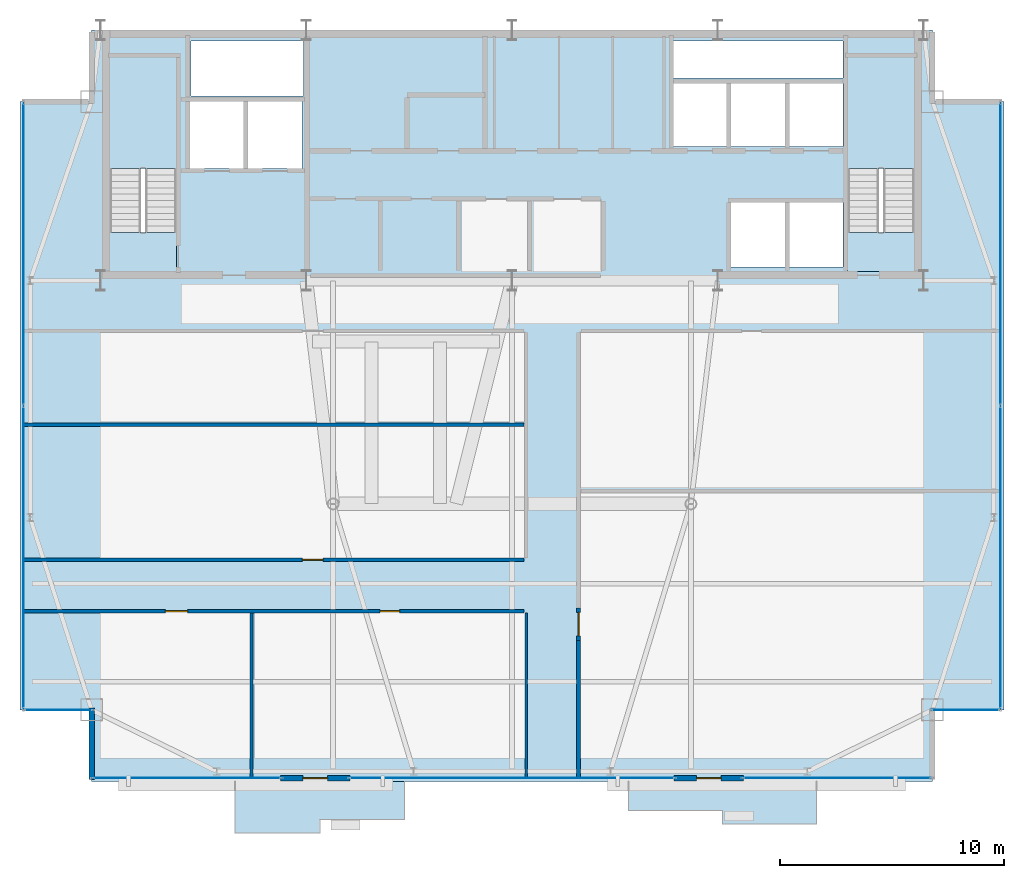
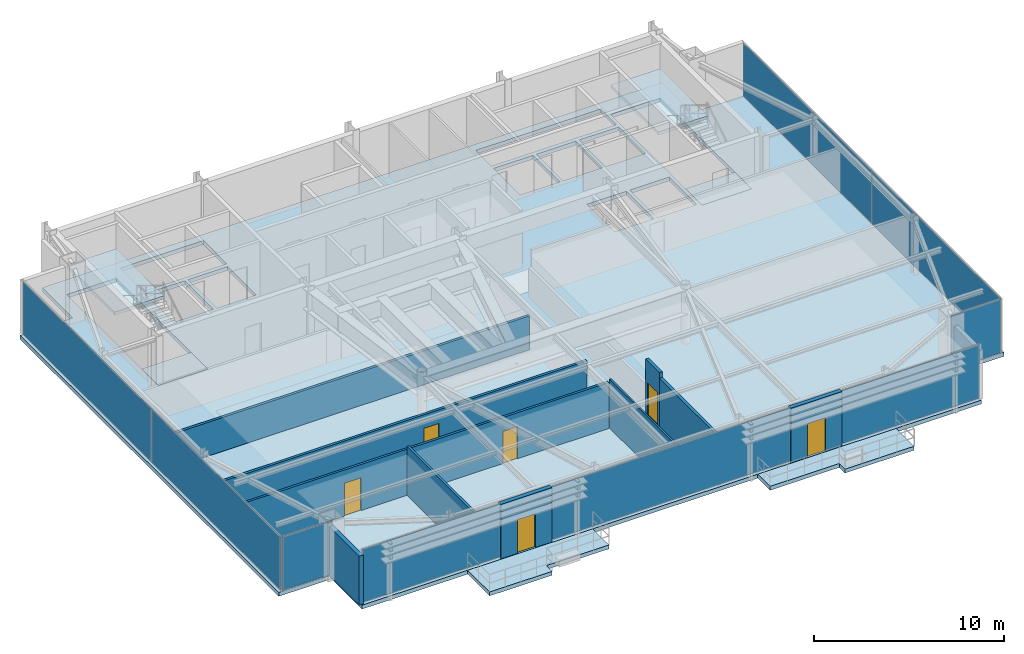
# One storey, part 17 of 21: 10 walls, 9 plates, 7 slabs, 6 doors, 6 openings, 9 elements without a shape of their own.
"""IFC4 building model written with IfcOpenShell, lengths in metres."""

from ifc_helpers import new_model, si_unit, direction, frame, frame_2d, origin, origin_2d, place, context, subcontext, project, spatial, polyline, rectangle, outline, extrude, source, transform, mapped, material, layer, layer_set, type_object, type_shapes, element, fill, aggregate, save


model = new_model("IFC4")

# Units and contexts
model_context = context("Model", 3, precision=1e-05, world=origin(), true_north=direction((0.0, 1.0)))
body_context = subcontext(model_context, "Body", "Model", "MODEL_VIEW")
ifc_project = project(units=[si_unit("LENGTHUNIT", "METRE"), si_unit("AREAUNIT", "SQUARE_METRE"), si_unit("VOLUMEUNIT", "CUBIC_METRE"), si_unit("PLANEANGLEUNIT", "RADIAN"), si_unit("MASSUNIT", "GRAM", prefix="KILO")], contexts=[model_context])

# Site, building, storey
site_placement = place(None, origin())
site = spatial("IfcSite", under=ifc_project, at=site_placement, CompositionType="ELEMENT")
building_placement = place(site_placement, origin())
building = spatial("IfcBuilding", under=site, at=building_placement, Name="Varnel Quay Broadcast Tower", CompositionType="ELEMENT")
storey_placement = place(building_placement, frame((0.0, 0.0, 296.39990234375)))
storey = spatial("IfcBuildingStorey", under=building, at=storey_placement, Name="L74", CompositionType="ELEMENT", Elevation=296.39990234375)

# Slabs
ifc_material_1 = material(Name="Concrete CSA A23.3 C40/50", Category="concrete")
ifc_layer_1 = layer(ifc_material_1, 0.25, Name="Concrete CSA A23.3 C40/50")
ifc_layer_set_1 = layer_set([ifc_layer_1], Name="Concrete CSA A23.3 C40/50")
slab_type_1 = type_object("IfcSlabType", Name="Slab_ExtTerrace250", PredefinedType="FLOOR", material=ifc_layer_set_1)
slab_1_placement = place(storey_placement, frame((0.0, 0.0, -0.25)))
element("IfcSlab", 1, at=slab_1_placement, inside=storey, type_object=slab_type_1, Name="L74 Planted Lobe Terrace Slab 1", PredefinedType="FLOOR", context=body_context, shape_type="SweptSolid", body=[
    extrude(outline(polyline([(21.610107421875, 10.89501953125), (25.405029296875, 10.89501953125), (25.405029296875, 11.4951171875), (29.199951171875, 11.4951171875), (29.199951171875, 13.199951171875), (21.610107421875, 13.199951171875), (21.610107421875, 10.89501953125)])), origin(), (0.0, 0.0, 1.0), 0.25),
])
slab_2_placement = place(storey_placement, frame((0.0, 0.0, -0.25)))
element("IfcSlab", 2, at=slab_2_placement, inside=storey, type_object=slab_type_1, Name="L74 Planted Lobe Terrace Slab 2", PredefinedType="FLOOR", context=body_context, shape_type="SweptSolid", body=[
    extrude(outline(polyline([(39.2099609375, 11.905029296875), (43.409912109375, 11.905029296875), (43.409912109375, 11.304931640625), (47.610107421875, 11.304931640625), (47.610107421875, 13.199951171875), (39.2099609375, 13.199951171875), (39.2099609375, 11.905029296875)])), origin(), (0.0, 0.0, 1.0), 0.25),
])
ifc_material_2 = material(Name="Concrete CSA A23.3 C50/60", Category="concrete")
ifc_layer_2 = layer(ifc_material_2, 0.25, Name="Concrete CSA A23.3 C50/60")
ifc_layer_set_2 = layer_set([ifc_layer_2], Name="Concrete CSA A23.3 C50/60")
slab_type_2 = type_object("IfcSlabType", Name="Slab_Floor250", PredefinedType="FLOOR", material=ifc_layer_set_2)
slab_3_placement = place(storey_placement, frame((0.0, 0.0, -0.25)))
element("IfcSlab", 3, at=slab_3_placement, inside=storey, type_object=slab_type_2, Name="L74 Structural Slab", PredefinedType="FLOOR", context=body_context, shape_type="SweptSolid", body=[
    extrude(outline(polyline([(15.199951171875, 13.199951171875), (52.800048828125, 13.199951171875), (52.800048828125, 16.39990234375), (56.0, 16.39990234375), (56.0, 43.60009765625), (52.800048828125, 43.60009765625), (52.800048828125, 46.800048828125), (15.199951171875, 46.800048828125), (15.199951171875, 43.60009765625), (12.0, 43.60009765625), (12.0, 16.39990234375), (15.199951171875, 16.39990234375), (15.199951171875, 13.199951171875)]), holes=[polyline([(19.0, 36.0), (16.0, 36.0), (16.0, 45.60009765625), (19.0, 45.60009765625), (19.0, 36.0)]), polyline([(19.60009765625, 40.60009765625), (19.60009765625, 43.60009765625), (22.0, 43.60009765625), (22.0, 40.60009765625), (19.60009765625, 40.60009765625)]), polyline([(22.199951171875, 40.60009765625), (22.199951171875, 43.60009765625), (24.60009765625, 43.60009765625), (24.60009765625, 40.60009765625), (22.199951171875, 40.60009765625)]), polyline([(41.199951171875, 44.39990234375), (43.60009765625, 44.39990234375), (43.60009765625, 41.60009765625), (41.199951171875, 41.60009765625), (41.199951171875, 44.39990234375)]), polyline([(43.800048828125, 44.39990234375), (46.199951171875, 44.39990234375), (46.199951171875, 41.60009765625), (43.800048828125, 41.60009765625), (43.800048828125, 44.39990234375)]), polyline([(19.64990234375, 43.85009765625), (19.64990234375, 46.300048828125), (24.679931640625, 46.300048828125), (24.679931640625, 43.85009765625), (19.64990234375, 43.85009765625)]), polyline([(43.800048828125, 39.10009765625), (46.199951171875, 39.10009765625), (46.199951171875, 36.199951171875), (43.800048828125, 36.199951171875), (43.800048828125, 39.10009765625)]), polyline([(46.39990234375, 39.10009765625), (48.800048828125, 39.10009765625), (48.800048828125, 36.199951171875), (46.39990234375, 36.199951171875), (46.39990234375, 39.10009765625)]), polyline([(52.0, 36.0), (49.0, 36.0), (49.0, 45.60009765625), (52.0, 45.60009765625), (52.0, 36.0)]), polyline([(46.39990234375, 44.39990234375), (48.800048828125, 44.39990234375), (48.800048828125, 41.60009765625), (46.39990234375, 41.60009765625), (46.39990234375, 44.39990234375)]), polyline([(41.199951171875, 46.300048828125), (48.800048828125, 46.300048828125), (48.800048828125, 44.64990234375), (41.199951171875, 44.64990234375), (41.199951171875, 46.300048828125)])]), origin(), (0.0, 0.0, 1.0), 0.25),
])
ifc_layer_3 = layer(ifc_material_2, 0.25, Name="Concrete CSA A23.3 C50/60")
ifc_layer_set_3 = layer_set([ifc_layer_3], Name="Concrete CSA A23.3 C50/60")
slab_type_3 = type_object("IfcSlabType", Name="Slab_StairFloorLanding250", PredefinedType="FLOOR", material=ifc_layer_set_3)
slab_4_placement = place(storey_placement, frame((0.0, 0.0, -0.25)))
element("IfcSlab", 4, at=slab_4_placement, inside=storey, type_object=slab_type_3, Name="L74 ST-01 Structural Floor Landing Slab", PredefinedType="FLOOR", context=body_context, shape_type="SweptSolid", body=[
    extrude(outline(polyline([(19.0, 36.0), (19.0, 37.75), (16.0, 37.75), (16.0, 36.0), (19.0, 36.0)])), origin(), (0.0, 0.0, 1.0), 0.25),
])
slab_5_placement = place(storey_placement, frame((0.0, 0.0, -0.25)))
element("IfcSlab", 5, at=slab_5_placement, inside=storey, type_object=slab_type_3, Name="L74 ST-02 Structural Floor Landing Slab", PredefinedType="FLOOR", context=body_context, shape_type="SweptSolid", body=[
    extrude(outline(polyline([(52.0, 36.0), (52.0, 37.75), (49.0, 37.75), (49.0, 36.0), (52.0, 36.0)])), origin(), (0.0, 0.0, 1.0), 0.25),
])

# Stair, slab
ifc_material_3 = material(Name="Precast Structural Concrete C40/50", Category="concrete")
stair_type_1 = type_object("IfcStairType", Name="Stair_ST-01", PredefinedType="HALF_TURN_STAIR", material=ifc_material_3)
stair_1_placement = place(storey_placement, origin())
stair_1 = element("IfcStair", 6, at=stair_1_placement, inside=storey, type_object=stair_type_1, Name="L74 West Core Exit Stair 1", PredefinedType="HALF_TURN_STAIR")
ifc_layer_4 = layer(ifc_material_3, 0.199951171875, Name="Precast Structural Concrete C40/50")
ifc_layer_set_4 = layer_set([ifc_layer_4], Name="Precast Structural Concrete C40/50")
slab_type_4 = type_object("IfcSlabType", Name="Slab_StairLanding200", PredefinedType="LANDING", material=ifc_layer_set_4)
slab_6_placement = place(storey_placement, frame((0.0, 0.0, 1.7001953125)))
slab_6 = element("IfcSlab", 7, at=slab_6_placement, type_object=slab_type_4, Name="ST-01 landing 1", PredefinedType="LANDING", context=body_context, shape_type="SweptSolid", body=[
    extrude(outline(polyline([(19.0, 40.60009765625), (19.0, 45.60009765625), (16.0, 45.60009765625), (16.0, 40.60009765625), (19.0, 40.60009765625)])), origin(), (0.0, 0.0, 1.0), 0.199951171875),
])
aggregate(stair_1, [slab_6])

stair_type_2 = type_object("IfcStairType", Name="Stair_ST-02", PredefinedType="HALF_TURN_STAIR", material=ifc_material_3)
stair_2_placement = place(storey_placement, origin())
stair_2 = element("IfcStair", 8, at=stair_2_placement, inside=storey, type_object=stair_type_2, Name="L74 East Core Exit Stair 2", PredefinedType="HALF_TURN_STAIR")
slab_7_placement = place(storey_placement, frame((0.0, 0.0, 1.7001953125)))
slab_7 = element("IfcSlab", 9, at=slab_7_placement, type_object=slab_type_4, Name="ST-02 landing 1", PredefinedType="LANDING", context=body_context, shape_type="SweptSolid", body=[
    extrude(outline(polyline([(52.0, 40.60009765625), (52.0, 45.60009765625), (49.0, 45.60009765625), (49.0, 40.60009765625), (52.0, 40.60009765625)])), origin(), (0.0, 0.0, 1.0), 0.199951171875),
])
aggregate(stair_2, [slab_7])

# Curtain wall, plate
ifc_material_4 = material(Name="Anodised Bronze Aluminium 6063-T6", Category="aluminium")
ifc_layer_5 = layer(ifc_material_4, 0.18994140625, Name="Anodised Bronze Aluminium 6063-T6")
ifc_layer_set_5 = layer_set([ifc_layer_5], Name="Anodised Bronze Aluminium 6063-T6")
curtain_wall_type_1 = type_object("IfcCurtainWallType", Name="CW_UpperTower", PredefinedType="NOTDEFINED", material=ifc_layer_set_5)
curtain_wall_1_placement = place(storey_placement, origin())
curtain_wall_1 = element("IfcCurtainWall", 10, at=curtain_wall_1_placement, inside=storey, type_object=curtain_wall_type_1, Name="L74 South Unitised Curtain Wall 1", PredefinedType="NOTDEFINED")
ifc_material_5 = material(Name="Triple-Glazed Bronze Low-E Architectural Glass", Category="glass")
ifc_layer_6 = layer(ifc_material_5, 0.030029296875, Name="Triple-Glazed Bronze Low-E Architectural Glass")
ifc_layer_set_6 = layer_set([ifc_layer_6], Name="Triple-Glazed Bronze Low-E Architectural Glass")
plate_type_1 = type_object("IfcPlateType", Name="Panel_CWS-03", PredefinedType="CURTAIN_PANEL", material=ifc_layer_set_6)
shared_shape_1 = source(origin(), body_context, "Body", "SweptSolid", [
    extrude(rectangle(XDim=8.389892578125, YDim=0.030029296875, at=origin_2d()), origin(), (0.0, 0.0, 1.0), 3.39990234375),
])
plate_1_placement = place(storey_placement, frame((19.4599609375, 13.35009765625, 0.06005859375), z_axis=(0.0, 0.0, 1.0), x_axis=(1.0, 0.0, 0.0)))
plate_1 = element("IfcPlate", 11, at=plate_1_placement, type_object=plate_type_1, Name="CWS-03 panel 1.1", PredefinedType="CURTAIN_PANEL", context=body_context, shape_type="MappedRepresentation", body=[
    mapped(shared_shape_1, transform((0.0, 0.0, 0.0), x_axis=(1.0, 0.0, 0.0), y_axis=(0.0, 1.0, 0.0), z_axis=(0.0, 0.0, 1.0), scale=1.0)),
])
aggregate(curtain_wall_1, [plate_1])

curtain_wall_2_placement = place(storey_placement, origin())
curtain_wall_2 = element("IfcCurtainWall", 12, at=curtain_wall_2_placement, inside=storey, type_object=curtain_wall_type_1, Name="L74 South Unitised Curtain Wall 3", PredefinedType="NOTDEFINED")
plate_2_placement = place(storey_placement, frame((48.5400390625, 13.35009765625, 0.06005859375), z_axis=(0.0, 0.0, 1.0), x_axis=(1.0, 0.0, 0.0)))
plate_2 = element("IfcPlate", 13, at=plate_2_placement, type_object=plate_type_1, Name="CWS-03 panel 1.1", PredefinedType="CURTAIN_PANEL", context=body_context, shape_type="MappedRepresentation", body=[
    mapped(shared_shape_1, transform((0.0, 0.0, 0.0), x_axis=(1.0, 0.0, 0.0), y_axis=(0.0, 1.0, 0.0), z_axis=(0.0, 0.0, 1.0), scale=1.0)),
])
aggregate(curtain_wall_2, [plate_2])

curtain_wall_3_placement = place(storey_placement, origin())
curtain_wall_3 = element("IfcCurtainWall", 14, at=curtain_wall_3_placement, inside=storey, type_object=curtain_wall_type_1, Name="L74 South Unitised Curtain Wall 2", PredefinedType="NOTDEFINED")
shared_shape_2 = source(origin(), body_context, "Body", "SweptSolid", [
    extrude(rectangle(XDim=14.510009765625, YDim=0.030029296875, at=origin_2d()), origin(), (0.0, 0.0, 1.0), 3.39990234375),
])
plate_3_placement = place(storey_placement, frame((34.0, 13.35009765625, 0.06005859375), z_axis=(0.0, 0.0, 1.0), x_axis=(1.0, 0.0, 0.0)))
plate_3 = element("IfcPlate", 15, at=plate_3_placement, type_object=plate_type_1, Name="CWS-03 panel 1.1", PredefinedType="CURTAIN_PANEL", context=body_context, shape_type="MappedRepresentation", body=[
    mapped(shared_shape_2, transform((0.0, 0.0, 0.0), x_axis=(1.0, 0.0, 0.0), y_axis=(0.0, 1.0, 0.0), z_axis=(0.0, 0.0, 1.0), scale=1.0)),
])
aggregate(curtain_wall_3, [plate_3])

# Curtain wall, plates
curtain_wall_4_placement = place(storey_placement, origin())
curtain_wall_4 = element("IfcCurtainWall", 16, at=curtain_wall_4_placement, inside=storey, type_object=curtain_wall_type_1, Name="L74 West Unitised Curtain Wall", PredefinedType="NOTDEFINED")
shared_shape_3 = source(origin(), body_context, "Body", "SweptSolid", [
    extrude(rectangle(XDim=13.50244140625, YDim=0.030029296875, at=origin_2d()), origin(), (0.0, 0.0, 1.0), 3.39990234375),
])
type_shapes(plate_type_1, [shared_shape_1, shared_shape_2, shared_shape_3])
plate_4_placement = place(storey_placement, frame((12.14990234375, 23.21630859375, 0.06005859375), z_axis=(0.0, 0.0, 1.0), x_axis=(0.0, 1.0, 0.0)))
plate_4 = element("IfcPlate", 17, at=plate_4_placement, type_object=plate_type_1, Name="CWS-03 panel 1.1", PredefinedType="CURTAIN_PANEL", context=body_context, shape_type="MappedRepresentation", body=[
    mapped(shared_shape_3, transform((0.0, 0.0, 0.0), x_axis=(1.0, 0.0, 0.0), y_axis=(0.0, 1.0, 0.0), z_axis=(0.0, 0.0, 1.0), scale=1.0)),
])
plate_5_placement = place(storey_placement, frame((12.14990234375, 36.78369140625, 0.06005859375), z_axis=(0.0, 0.0, 1.0), x_axis=(0.0, 1.0, 0.0)))
plate_5 = element("IfcPlate", 18, at=plate_5_placement, type_object=plate_type_1, Name="CWS-03 panel 2.1", PredefinedType="CURTAIN_PANEL", context=body_context, shape_type="MappedRepresentation", body=[
    mapped(shared_shape_3, transform((0.0, 0.0, 0.0), x_axis=(1.0, 0.0, 0.0), y_axis=(0.0, 1.0, 0.0), z_axis=(0.0, 0.0, 1.0), scale=1.0)),
])
aggregate(curtain_wall_4, [plate_4, plate_5])

curtain_wall_5_placement = place(storey_placement, origin())
curtain_wall_5 = element("IfcCurtainWall", 19, at=curtain_wall_5_placement, inside=storey, type_object=curtain_wall_type_1, Name="L74 East Unitised Curtain Wall", PredefinedType="NOTDEFINED")
plate_6_placement = place(storey_placement, frame((55.85009765625, 23.21630859375, 0.06005859375), z_axis=(0.0, 0.0, 1.0), x_axis=(0.0, 1.0, 0.0)))
plate_6 = element("IfcPlate", 20, at=plate_6_placement, type_object=plate_type_1, Name="CWS-03 panel 1.1", PredefinedType="CURTAIN_PANEL", context=body_context, shape_type="MappedRepresentation", body=[
    mapped(shared_shape_3, transform((0.0, 0.0, 0.0), x_axis=(1.0, 0.0, 0.0), y_axis=(0.0, 1.0, 0.0), z_axis=(0.0, 0.0, 1.0), scale=1.0)),
])
plate_7_placement = place(storey_placement, frame((55.85009765625, 36.78369140625, 0.06005859375), z_axis=(0.0, 0.0, 1.0), x_axis=(0.0, 1.0, 0.0)))
plate_7 = element("IfcPlate", 21, at=plate_7_placement, type_object=plate_type_1, Name="CWS-03 panel 2.1", PredefinedType="CURTAIN_PANEL", context=body_context, shape_type="MappedRepresentation", body=[
    mapped(shared_shape_3, transform((0.0, 0.0, 0.0), x_axis=(1.0, 0.0, 0.0), y_axis=(0.0, 1.0, 0.0), z_axis=(0.0, 0.0, 1.0), scale=1.0)),
])
aggregate(curtain_wall_5, [plate_6, plate_7])

# Curtain wall, plate
ifc_layer_7 = layer(ifc_material_4, 0.18994140625, Name="Anodised Bronze Aluminium 6063-T6")
ifc_layer_set_7 = layer_set([ifc_layer_7], Name="Anodised Bronze Aluminium 6063-T6")
curtain_wall_type_2 = type_object("IfcCurtainWallType", Name="CW_NotchCorner", PredefinedType="NOTDEFINED", material=ifc_layer_set_7)
curtain_wall_6_placement = place(storey_placement, origin())
curtain_wall_6 = element("IfcCurtainWall", 22, at=curtain_wall_6_placement, inside=storey, type_object=curtain_wall_type_2, Name="L74 SW Notch Curtain Wall", PredefinedType="NOTDEFINED")
ifc_layer_8 = layer(ifc_material_5, 0.028076171875, Name="Triple-Glazed Bronze Low-E Architectural Glass")
ifc_layer_set_8 = layer_set([ifc_layer_8], Name="Triple-Glazed Bronze Low-E Architectural Glass")
plate_type_2 = type_object("IfcPlateType", Name="Panel_CWS-04", PredefinedType="CURTAIN_PANEL", material=ifc_layer_set_8)
shared_shape_4 = source(origin(), body_context, "Body", "SweptSolid", [
    extrude(rectangle(XDim=3.010009765625, YDim=0.028076171875, at=origin_2d()), origin(), (0.0, 0.0, 1.0), 3.409912109375),
])
type_shapes(plate_type_2, [shared_shape_4])
plate_8_placement = place(storey_placement, frame((13.715087890625, 16.39990234375, 0.05517578125), z_axis=(0.0, 0.0, 1.0), x_axis=(1.0, 0.0, 0.0)))
plate_8 = element("IfcPlate", 23, at=plate_8_placement, type_object=plate_type_2, Name="CWS-04 panel 1.1", PredefinedType="CURTAIN_PANEL", context=body_context, shape_type="MappedRepresentation", body=[
    mapped(shared_shape_4, transform((0.0, 0.0, 0.0), x_axis=(1.0, 0.0, 0.0), y_axis=(0.0, 1.0, 0.0), z_axis=(0.0, 0.0, 1.0), scale=1.0)),
])
aggregate(curtain_wall_6, [plate_8])

curtain_wall_7_placement = place(storey_placement, origin())
curtain_wall_7 = element("IfcCurtainWall", 24, at=curtain_wall_7_placement, inside=storey, type_object=curtain_wall_type_2, Name="L74 SE Notch Curtain Wall", PredefinedType="NOTDEFINED")
plate_9_placement = place(storey_placement, frame((54.284912109375, 16.39990234375, 0.05517578125), z_axis=(0.0, 0.0, 1.0), x_axis=(1.0, 0.0, 0.0)))
plate_9 = element("IfcPlate", 25, at=plate_9_placement, type_object=plate_type_2, Name="CWS-04 panel 1.1", PredefinedType="CURTAIN_PANEL", context=body_context, shape_type="MappedRepresentation", body=[
    mapped(shared_shape_4, transform((0.0, 0.0, 0.0), x_axis=(1.0, 0.0, 0.0), y_axis=(0.0, 1.0, 0.0), z_axis=(0.0, 0.0, 1.0), scale=1.0)),
])
aggregate(curtain_wall_7, [plate_9])

# Wall, opening, door
ifc_material_6 = material(Name="Precast Architectural Concrete C40/50", Category="concrete")
ifc_layer_9 = layer(ifc_material_6, 0.25, Name="Precast Architectural Concrete C40/50")
ifc_layer_set_9 = layer_set([ifc_layer_9], Name="Precast Architectural Concrete C40/50")
wall_type_1 = type_object("IfcWallType", Name="Wall_ExtTerrace250", PredefinedType="SOLIDWALL", material=ifc_layer_set_9)
wall_1_placement = place(storey_placement, frame((23.64990234375, 13.35009765625, 0.0), z_axis=(0.0, 0.0, 1.0), x_axis=(1.0, 0.0, 0.0)))
wall_1 = element("IfcWall", 26, at=wall_1_placement, inside=storey, type_object=wall_type_1, Name="L74 Terrace Access Wall 1", PredefinedType="SOLIDWALL", context=body_context, shape_type="SweptSolid", body=[
    extrude(rectangle(XDim=3.10009765625, YDim=0.25, at=frame_2d((1.550048828125, 0.0))), origin(), (0.0, 0.0, 1.0), 3.5),
])
opening_1_placement = place(wall_1_placement, frame((1.0, 0.0, 0.0)))
opening_1 = element("IfcOpeningElement", 27, at=opening_1_placement, cuts=wall_1, Name="Opening TD-741", PredefinedType="OPENING", context=body_context, shape_type="SweptSolid", body=[
    extrude(rectangle(XDim=1.10009765625, YDim=2.14990234375, at=frame_2d((0.550048828125, 1.074951171875))), frame((0.0, 0.135009765625, 0.0), z_axis=(0.0, -1.0, 0.0), x_axis=(1.0, 0.0, 0.0)), (0.0, 0.0, 1.0), 0.27001953125),
])
door_type_1 = type_object("IfcDoorType", Name="Door_ExtTerrace1100", OperationType="NOTDEFINED", PredefinedType="DOOR", material=ifc_material_4)
shared_shape_5 = source(origin(), body_context, "Body", "SweptSolid", [
    extrude(rectangle(XDim=1.10009765625, YDim=2.14990234375, at=frame_2d((0.550048828125, 1.074951171875))), frame((0.0, 0.02490234375, 0.0), z_axis=(0.0, -1.0, 0.0), x_axis=(1.0, 0.0, 0.0)), (0.0, 0.0, 1.0), 0.050048828125),
])
type_shapes(door_type_1, [shared_shape_5])
door_1_placement = place(opening_1_placement, frame((1.10009765625, 0.0, 0.0), z_axis=(0.0, 0.0, 1.0), x_axis=(-1.0, 0.0, 0.0)))
door_1 = element("IfcDoor", 28, at=door_1_placement, inside=storey, type_object=door_type_1, Name="L74 Terrace Door TD-741", OperationType="SINGLE_SWING_LEFT", OverallHeight=2.14990234375, OverallWidth=1.10009765625, PredefinedType="DOOR", context=body_context, shape_type="MappedRepresentation", body=[
    mapped(shared_shape_5, transform((0.0, 0.0, 0.0), x_axis=(1.0, 0.0, 0.0), y_axis=(0.0, 1.0, 0.0), z_axis=(0.0, 0.0, 1.0), scale=1.0)),
])
fill(opening_1, door_1)

wall_2_placement = place(storey_placement, frame((41.25, 13.35009765625, 0.0), z_axis=(0.0, 0.0, 1.0), x_axis=(1.0, 0.0, 0.0)))
wall_2 = element("IfcWall", 29, at=wall_2_placement, inside=storey, type_object=wall_type_1, Name="L74 Terrace Access Wall 2", PredefinedType="SOLIDWALL", context=body_context, shape_type="SweptSolid", body=[
    extrude(rectangle(XDim=3.10009765625, YDim=0.25, at=frame_2d((1.550048828125, 0.0))), origin(), (0.0, 0.0, 1.0), 3.5),
])
opening_2_placement = place(wall_2_placement, frame((1.0, 0.0, 0.0)))
opening_2 = element("IfcOpeningElement", 30, at=opening_2_placement, cuts=wall_2, Name="Opening TD-742", PredefinedType="OPENING", context=body_context, shape_type="SweptSolid", body=[
    extrude(rectangle(XDim=1.10009765625, YDim=2.14990234375, at=frame_2d((0.550048828125, 1.074951171875))), frame((0.0, 0.135009765625, 0.0), z_axis=(0.0, -1.0, 0.0), x_axis=(1.0, 0.0, 0.0)), (0.0, 0.0, 1.0), 0.27001953125),
])
door_2_placement = place(opening_2_placement, frame((1.10009765625, 0.0, 0.0), z_axis=(0.0, 0.0, 1.0), x_axis=(-1.0, 0.0, 0.0)))
door_2 = element("IfcDoor", 31, at=door_2_placement, inside=storey, type_object=door_type_1, Name="L74 Terrace Door TD-742", OperationType="SINGLE_SWING_RIGHT", OverallHeight=2.14990234375, OverallWidth=1.10009765625, PredefinedType="DOOR", context=body_context, shape_type="MappedRepresentation", body=[
    mapped(shared_shape_5, transform((0.0, 0.0, 0.0), x_axis=(1.0, 0.0, 0.0), y_axis=(0.0, 1.0, 0.0), z_axis=(0.0, 0.0, 1.0), scale=1.0)),
])
fill(opening_2, door_2)

# Walls
wall_3_placement = place(storey_placement, frame((15.199951171875, 13.280029296875, 0.0), z_axis=(0.0, 0.0, 1.0), x_axis=(0.0, 1.0, 0.0)))
element("IfcWall", 32, at=wall_3_placement, inside=storey, type_object=wall_type_1, Name="L74 Mega-Column Notch Cladding Wall NSW2", PredefinedType="SOLIDWALL", context=body_context, shape_type="SweptSolid", body=[
    extrude(rectangle(XDim=3.199951171875, YDim=0.25, at=frame_2d((1.60009765625, 0.0))), origin(), (0.0, 0.0, 1.0), 3.14111328125),
])
ifc_material_7 = material(Name="Steel-Stud Fire-Rated Acoustic Gypsum Partition Assembly", Category="steel")
ifc_layer_10 = layer(ifc_material_7, 0.10498046875, Name="Steel-Stud Fire-Rated Acoustic Gypsum Partition Assembly")
ifc_layer_set_10 = layer_set([ifc_layer_10], Name="Steel-Stud Fire-Rated Acoustic Gypsum Partition Assembly")
wall_type_2 = type_object("IfcWallType", Name="Wall_Partition105", PredefinedType="PARTITIONING", material=ifc_layer_set_10)
wall_4_placement = place(storey_placement, frame((34.6298828125, 13.3798828125, 0.0), z_axis=(0.0, 0.0, 1.0), x_axis=(0.0, 1.0, 0.0)))
element("IfcWall", 33, at=wall_4_placement, inside=storey, type_object=wall_type_2, Name="L74 Camera Locker Store 2 Partition 9", PredefinedType="PARTITIONING", context=body_context, shape_type="SweptSolid", body=[
    extrude(rectangle(XDim=7.360107421875, YDim=0.10498046875, at=frame_2d((3.68017578125, 0.0))), origin(), (0.0, 0.0, 1.0), 3.14111328125),
])
ifc_layer_11 = layer(ifc_material_7, 0.139892578125, Name="Steel-Stud Fire-Rated Acoustic Gypsum Partition Assembly")
ifc_layer_set_11 = layer_set([ifc_layer_11], Name="Steel-Stud Fire-Rated Acoustic Gypsum Partition Assembly")
wall_type_3 = type_object("IfcWallType", Name="Wall_Partition140", PredefinedType="PARTITIONING", material=ifc_layer_set_11)
wall_5_placement = place(storey_placement, frame((22.35009765625, 13.3798828125, 0.0), z_axis=(0.0, 0.0, 1.0), x_axis=(0.0, 1.0, 0.0)))
element("IfcWall", 34, at=wall_5_placement, inside=storey, type_object=wall_type_3, Name="L74 Press Green Lounge 1 Partition 7", PredefinedType="PARTITIONING", context=body_context, shape_type="SweptSolid", body=[
    extrude(rectangle(XDim=7.360107421875, YDim=0.139892578125, at=frame_2d((3.68017578125, 0.0))), origin(), (0.0, 0.0, 1.0), 3.14111328125),
])

# Wall, openings, doors
wall_6_placement = place(storey_placement, frame((12.179931640625, 20.81005859375, 0.0), z_axis=(0.0, 0.0, 1.0), x_axis=(1.0, 0.0, 0.0)))
wall_6 = element("IfcWall", 35, at=wall_6_placement, inside=storey, type_object=wall_type_3, Name="L74 Press Green Lounge 1 Partition 8", PredefinedType="PARTITIONING", context=body_context, shape_type="SweptSolid", body=[
    extrude(rectangle(XDim=22.35009765625, YDim=0.139892578125, at=frame_2d((11.175048828125, 0.0))), origin(), (0.0, 0.0, 1.0), 2.951171875),
])
opening_3_placement = place(wall_6_placement, frame((6.320068359375, 0.0, 0.0)))
opening_3 = element("IfcOpeningElement", 36, at=opening_3_placement, cuts=wall_6, Name="Opening D-L74-05", PredefinedType="OPENING", context=body_context, shape_type="SweptSolid", body=[
    extrude(rectangle(XDim=1.0, YDim=2.10009765625, at=frame_2d((0.5, 1.050048828125))), frame((0.0, 0.080078125, 0.0), z_axis=(0.0, -1.0, 0.0), x_axis=(1.0, 0.0, 0.0)), (0.0, 0.0, 1.0), 0.159912109375),
])
opening_4_placement = place(wall_6_placement, frame((15.919921875, 0.0, 0.0)))
opening_4 = element("IfcOpeningElement", 37, at=opening_4_placement, cuts=wall_6, Name="Opening D-L74-06", PredefinedType="OPENING", context=body_context, shape_type="SweptSolid", body=[
    extrude(rectangle(XDim=0.8798828125, YDim=2.06005859375, at=frame_2d((0.43994140625, 1.030029296875))), frame((0.0, 0.080078125, 0.0), z_axis=(0.0, -1.0, 0.0), x_axis=(1.0, 0.0, 0.0)), (0.0, 0.0, 1.0), 0.159912109375),
])
ifc_material_8 = material(Name="Solid-Core Fire-Rated Acoustic Oak Veneer Door", Category="wood")
door_type_2 = type_object("IfcDoorType", Name="Door_Booth880", OperationType="NOTDEFINED", PredefinedType="DOOR", material=ifc_material_8)
shared_shape_6 = source(origin(), body_context, "Body", "SweptSolid", [
    extrude(rectangle(XDim=0.8798828125, YDim=2.06005859375, at=frame_2d((0.43994140625, 1.030029296875))), frame((0.0, 0.02490234375, 0.0), z_axis=(0.0, -1.0, 0.0), x_axis=(1.0, 0.0, 0.0)), (0.0, 0.0, 1.0), 0.050048828125),
])
type_shapes(door_type_2, [shared_shape_6])
door_3_placement = place(opening_4_placement, frame((0.8798828125, 0.0, 0.0), z_axis=(0.0, 0.0, 1.0), x_axis=(-1.0, 0.0, 0.0)))
door_3 = element("IfcDoor", 38, at=door_3_placement, inside=storey, type_object=door_type_2, Name="L74 Camera Locker Store 2 Door D-L74-06", OperationType="SINGLE_SWING_LEFT", OverallHeight=2.06005859375, OverallWidth=0.8798828125, PredefinedType="DOOR", context=body_context, shape_type="MappedRepresentation", body=[
    mapped(shared_shape_6, transform((0.0, 0.0, 0.0), x_axis=(1.0, 0.0, 0.0), y_axis=(0.0, 1.0, 0.0), z_axis=(0.0, 0.0, 1.0), scale=1.0)),
])
fill(opening_4, door_3)
door_type_3 = type_object("IfcDoorType", Name="Door_Exec1000", OperationType="NOTDEFINED", PredefinedType="DOOR", material=ifc_material_8)
shared_shape_7 = source(origin(), body_context, "Body", "SweptSolid", [
    extrude(rectangle(XDim=1.0, YDim=2.10009765625, at=frame_2d((0.5, 1.050048828125))), frame((0.0, 0.02490234375, 0.0), z_axis=(0.0, -1.0, 0.0), x_axis=(1.0, 0.0, 0.0)), (0.0, 0.0, 1.0), 0.050048828125),
])
type_shapes(door_type_3, [shared_shape_7])
door_4_placement = place(opening_3_placement, frame((1.0, 0.0, 0.0), z_axis=(0.0, 0.0, 1.0), x_axis=(-1.0, 0.0, 0.0)))
door_4 = element("IfcDoor", 39, at=door_4_placement, inside=storey, type_object=door_type_3, Name="L74 Press Green Lounge 1 Door D-L74-05", OperationType="SINGLE_SWING_RIGHT", OverallHeight=2.10009765625, OverallWidth=1.0, PredefinedType="DOOR", context=body_context, shape_type="MappedRepresentation", body=[
    mapped(shared_shape_7, transform((0.0, 0.0, 0.0), x_axis=(1.0, 0.0, 0.0), y_axis=(0.0, 1.0, 0.0), z_axis=(0.0, 0.0, 1.0), scale=1.0)),
])
fill(opening_3, door_4)

# Wall, opening, door
ifc_layer_12 = layer(ifc_material_7, 0.14990234375, Name="Steel-Stud Fire-Rated Acoustic Gypsum Partition Assembly")
ifc_layer_set_12 = layer_set([ifc_layer_12], Name="Steel-Stud Fire-Rated Acoustic Gypsum Partition Assembly")
wall_type_4 = type_object("IfcWallType", Name="Wall_Partition150", PredefinedType="PARTITIONING", material=ifc_layer_set_12)
wall_7_placement = place(storey_placement, frame((12.179931640625, 23.110107421875, 0.0), z_axis=(0.0, 0.0, 1.0), x_axis=(1.0, 0.0, 0.0)))
wall_7 = element("IfcWall", 40, at=wall_7_placement, inside=storey, type_object=wall_type_4, Name="L74 Broadcast Newsroom 3 Partition 10", PredefinedType="PARTITIONING", context=body_context, shape_type="SweptSolid", body=[
    extrude(rectangle(XDim=22.35009765625, YDim=0.14990234375, at=frame_2d((11.175048828125, 0.0))), origin(), (0.0, 0.0, 1.0), 2.951171875),
])
opening_5_placement = place(wall_7_placement, frame((12.449951171875, 0.0, 0.0)))
opening_5 = element("IfcOpeningElement", 41, at=opening_5_placement, cuts=wall_7, Name="Opening D-L74-07", PredefinedType="OPENING", context=body_context, shape_type="SweptSolid", body=[
    extrude(rectangle(XDim=0.919921875, YDim=2.080078125, at=frame_2d((0.4599609375, 1.0400390625))), frame((0.0, 0.0849609375, 0.0), z_axis=(0.0, -1.0, 0.0), x_axis=(1.0, 0.0, 0.0)), (0.0, 0.0, 1.0), 0.169921875),
])
door_type_4 = type_object("IfcDoorType", Name="Door_Office920", OperationType="NOTDEFINED", PredefinedType="DOOR", material=ifc_material_8)
shared_shape_8 = source(origin(), body_context, "Body", "SweptSolid", [
    extrude(rectangle(XDim=0.919921875, YDim=2.080078125, at=frame_2d((0.4599609375, 1.0400390625))), frame((0.0, 0.02490234375, 0.0), z_axis=(0.0, -1.0, 0.0), x_axis=(1.0, 0.0, 0.0)), (0.0, 0.0, 1.0), 0.050048828125),
])
type_shapes(door_type_4, [shared_shape_8])
door_5_placement = place(opening_5_placement, origin())
door_5 = element("IfcDoor", 42, at=door_5_placement, inside=storey, type_object=door_type_4, Name="L74 Broadcast Newsroom 3 Door D-L74-07", OperationType="SINGLE_SWING_RIGHT", OverallHeight=2.080078125, OverallWidth=0.919921875, PredefinedType="DOOR", context=body_context, shape_type="MappedRepresentation", body=[
    mapped(shared_shape_8, transform((0.0, 0.0, 0.0), x_axis=(1.0, 0.0, 0.0), y_axis=(0.0, 1.0, 0.0), z_axis=(0.0, 0.0, 1.0), scale=1.0)),
])
fill(opening_5, door_5)

# Walls
wall_8_placement = place(storey_placement, frame((12.179931640625, 29.14990234375, 0.0), z_axis=(0.0, 0.0, 1.0), x_axis=(1.0, 0.0, 0.0)))
element("IfcWall", 43, at=wall_8_placement, inside=storey, type_object=wall_type_4, Name="L74 Broadcast Newsroom 3 Partition 12", PredefinedType="PARTITIONING", context=body_context, shape_type="SweptSolid", body=[
    extrude(rectangle(XDim=22.35009765625, YDim=0.14990234375, at=frame_2d((11.175048828125, 0.0))), origin(), (0.0, 0.0, 1.0), 2.1650390625),
])
ifc_layer_13 = layer(ifc_material_7, 0.175048828125, Name="Steel-Stud Fire-Rated Acoustic Gypsum Partition Assembly")
ifc_layer_set_13 = layer_set([ifc_layer_13], Name="Steel-Stud Fire-Rated Acoustic Gypsum Partition Assembly")
wall_type_5 = type_object("IfcWallType", Name="Wall_Partition175", PredefinedType="PARTITIONING", material=ifc_layer_set_13)
wall_9_placement = place(storey_placement, frame((36.97998046875, 13.3798828125, 0.0), z_axis=(0.0, 0.0, 1.0), x_axis=(0.0, 1.0, 0.0)))
element("IfcWall", 44, at=wall_9_placement, inside=storey, type_object=wall_type_5, Name="L74 Editorial Boardroom 5 Partition 15", PredefinedType="PARTITIONING", context=body_context, shape_type="SweptSolid", body=[
    extrude(rectangle(XDim=6.130126953125, YDim=0.175048828125, at=frame_2d((3.06494140625, 0.0))), origin(), (0.0, 0.0, 1.0), 3.14111328125),
])

# Wall, opening, door
wall_10_placement = place(storey_placement, frame((36.97998046875, 19.510009765625, 0.0), z_axis=(0.0, 0.0, 1.0), x_axis=(0.0, 1.0, 0.0)))
wall_10 = element("IfcWall", 45, at=wall_10_placement, inside=storey, type_object=wall_type_5, Name="L74 Editorial Boardroom 5 Door Partition 16", PredefinedType="PARTITIONING", context=body_context, shape_type="SweptSolid", body=[
    extrude(rectangle(XDim=1.449951171875, YDim=0.175048828125, at=frame_2d((0.72509765625, 0.0))), origin(), (0.0, 0.0, 1.0), 3.5),
])
opening_6_placement = place(wall_10_placement, frame((0.199951171875, 0.0, 0.0)))
opening_6 = element("IfcOpeningElement", 46, at=opening_6_placement, cuts=wall_10, Name="Opening D-L74-09", PredefinedType="OPENING", context=body_context, shape_type="SweptSolid", body=[
    extrude(rectangle(XDim=1.050048828125, YDim=2.10009765625, at=frame_2d((0.52490234375, 1.050048828125))), frame((0.0, 0.09765625, 0.0), z_axis=(0.0, -1.0, 0.0), x_axis=(1.0, 0.0, 0.0)), (0.0, 0.0, 1.0), 0.195068359375),
])
door_type_5 = type_object("IfcDoorType", Name="Door_Meeting1050", OperationType="NOTDEFINED", PredefinedType="DOOR", material=ifc_material_8)
shared_shape_9 = source(origin(), body_context, "Body", "SweptSolid", [
    extrude(rectangle(XDim=1.050048828125, YDim=2.10009765625, at=frame_2d((0.52490234375, 1.050048828125))), frame((0.0, 0.02490234375, 0.0), z_axis=(0.0, -1.0, 0.0), x_axis=(1.0, 0.0, 0.0)), (0.0, 0.0, 1.0), 0.050048828125),
])
type_shapes(door_type_5, [shared_shape_9])
door_6_placement = place(opening_6_placement, frame((1.050048828125, 0.0, 0.0), z_axis=(0.0, 0.0, 1.0), x_axis=(-1.0, 0.0, 0.0)))
door_6 = element("IfcDoor", 47, at=door_6_placement, inside=storey, type_object=door_type_5, Name="L74 Editorial Boardroom 5 Door D-L74-09", OperationType="SINGLE_SWING_RIGHT", OverallHeight=2.10009765625, OverallWidth=1.050048828125, PredefinedType="DOOR", context=body_context, shape_type="MappedRepresentation", body=[
    mapped(shared_shape_9, transform((0.0, 0.0, 0.0), x_axis=(1.0, 0.0, 0.0), y_axis=(0.0, 1.0, 0.0), z_axis=(0.0, 0.0, 1.0), scale=1.0)),
])
fill(opening_6, door_6)

save(model, "model.ifc")
